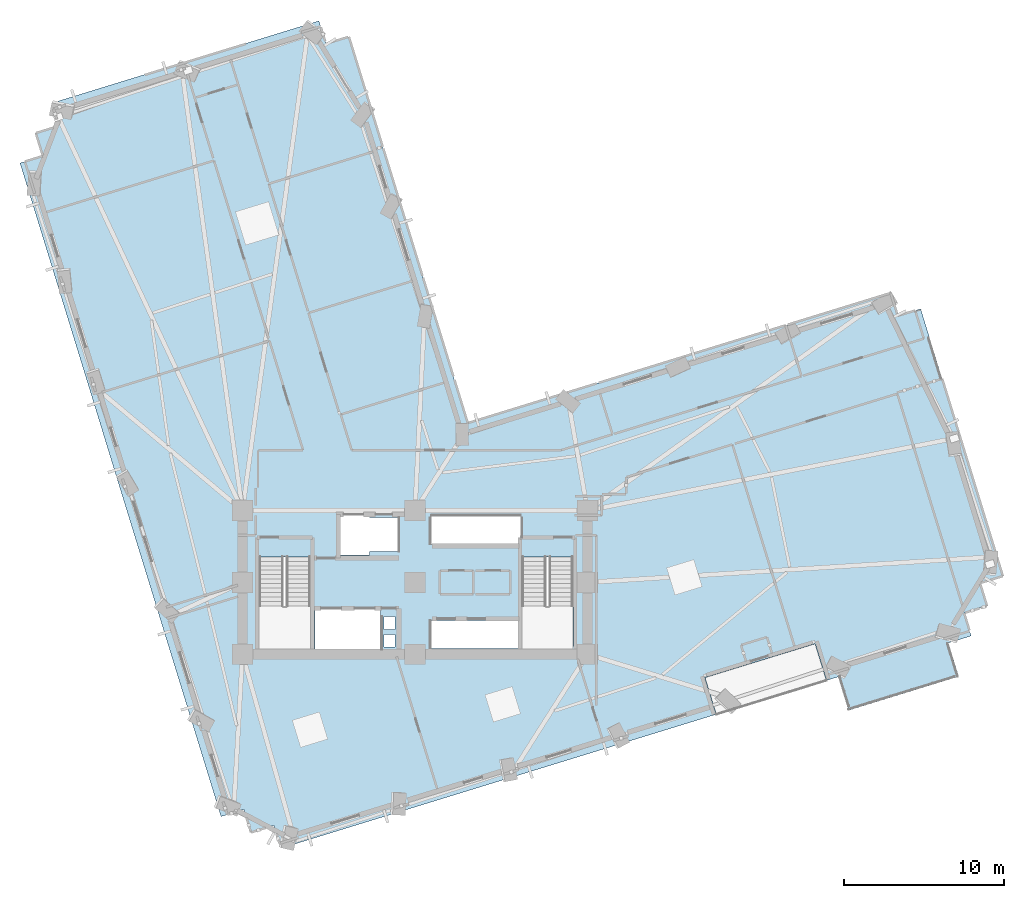
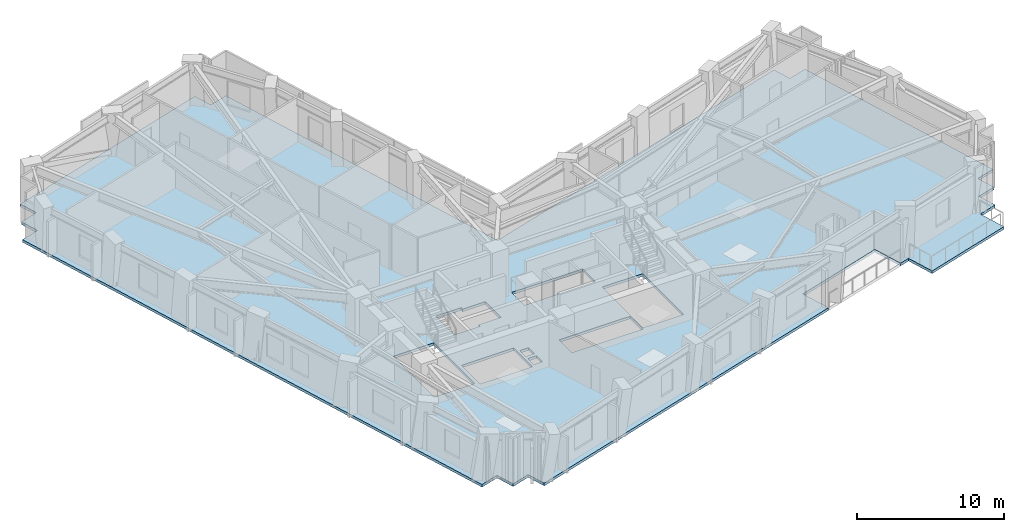
# One storey, part 4 of 14: 1 slab.
"""IFC4 building model written with IfcOpenShell, lengths in metres."""

from ifc_helpers import new_model, si_unit, direction, frame, origin, place, context, subcontext, project, spatial, polyline, outline, extrude, material, layer, layer_set, type_object, element, save


model = new_model("IFC4")

# Units and contexts
model_context = context("Model", 3, precision=1e-05, world=origin(), true_north=direction((0.0, 1.0)))
body_context = subcontext(model_context, "Body", "Model", "MODEL_VIEW")
ifc_project = project(units=[si_unit("LENGTHUNIT", "METRE"), si_unit("AREAUNIT", "SQUARE_METRE"), si_unit("VOLUMEUNIT", "CUBIC_METRE"), si_unit("PLANEANGLEUNIT", "RADIAN"), si_unit("MASSUNIT", "GRAM", prefix="KILO")], contexts=[model_context])

# Site, building, storey
site_placement = place(None, origin())
site = spatial("IfcSite", under=ifc_project, at=site_placement, CompositionType="ELEMENT")
building_placement = place(site_placement, origin())
building = spatial("IfcBuilding", under=site, at=building_placement, Name="Gaonmaruhae Medical Tower", CompositionType="ELEMENT")
storey_placement = place(building_placement, frame((0.0, 0.0, 96.39990234375)))
storey = spatial("IfcBuildingStorey", under=building, at=storey_placement, Name="L22", CompositionType="ELEMENT", Elevation=96.39990234375)

# Slab
ifc_material = material(Name="Concrete C40/50", Category="concrete")
ifc_layer = layer(ifc_material, 0.219970703125)
ifc_layer_set = layer_set([ifc_layer], Name="Concrete C40/50")
slab_type = type_object("IfcSlabType", Name="FS-220 Clinical Ward Composite Floor Slab", PredefinedType="FLOOR", material=ifc_layer_set)
slab_placement = place(storey_placement, frame((0.0, 0.0, -0.219970703125)))
element("IfcSlab", 1, at=slab_placement, inside=storey, type_object=slab_type, Name="L22 Structural Slab 1", PredefinedType="FLOOR", context=body_context, shape_type="SweptSolid", body=[
    extrude(outline(polyline([(15.96826171875, -2.909423828125), (14.534423828125, -3.3505859375), (14.093505859375, -1.916748046875), (12.659912109375, -2.35791015625), (0.074951171875, 38.550048828125), (1.508544921875, 38.9912109375), (1.0673828125, 40.4248046875), (2.501220703125, 40.865966796875), (2.06005859375, 42.299560546875), (18.78662109375, 47.4453125), (19.2275390625, 46.01171875), (20.661376953125, 46.45263671875), (28.1005859375, 22.27099609375), (54.575927734375, 30.416015625), (55.01708984375, 28.982421875), (56.45068359375, 29.42333984375), (61.596435546875, 12.697021484375), (60.16259765625, 12.256103515625), (60.603759765625, 10.822265625), (59.170166015625, 10.381103515625), (59.611083984375, 8.947509765625), (58.19091796875, 8.510498046875), (58.837646484375, 6.40771484375), (51.9560546875, 4.290771484375), (51.30908203125, 6.3935546875), (50.54443359375, 6.158203125), (49.8388671875, 8.4521484375), (42.95703125, 6.335205078125), (43.662841796875, 4.041259765625), (16.4091796875, -4.343017578125), (15.96826171875, -2.909423828125)]), holes=[polyline([(23.550048828125, 8.25), (22.85009765625, 8.25), (22.85009765625, 9.050048828125), (23.550048828125, 9.050048828125), (23.550048828125, 8.25)]), polyline([(25.824951171875, 9.925048828125), (31.425048828125, 9.925048828125), (31.425048828125, 8.175048828125), (25.824951171875, 8.175048828125), (25.824951171875, 9.925048828125)]), polyline([(22.64990234375, 10.625), (22.64990234375, 8.074951171875), (18.550048828125, 8.074951171875), (18.550048828125, 10.625), (22.64990234375, 10.625)]), polyline([(23.550048828125, 9.35009765625), (22.85009765625, 9.35009765625), (22.85009765625, 10.14990234375), (23.550048828125, 10.14990234375), (23.550048828125, 9.35009765625)]), polyline([(15.050048828125, 13.889892578125), (18.25, 13.889892578125), (18.25, 8.300048828125), (15.050048828125, 8.300048828125), (15.050048828125, 13.889892578125)]), polyline([(31.5, 13.889892578125), (34.699951171875, 13.889892578125), (34.699951171875, 8.300048828125), (31.5, 8.300048828125), (31.5, 13.889892578125)]), polyline([(21.949951171875, 14.22509765625), (21.949951171875, 14.02490234375), (19.949951171875, 14.02490234375), (19.949951171875, 16.574951171875), (21.949951171875, 16.574951171875), (21.949951171875, 16.375), (23.72509765625, 16.375), (23.72509765625, 14.22509765625), (21.949951171875, 14.22509765625)]), polyline([(25.824951171875, 16.425048828125), (31.425048828125, 16.425048828125), (31.425048828125, 14.675048828125), (25.824951171875, 14.675048828125), (25.824951171875, 16.425048828125)])]), origin(), (0.0, 0.0, 1.0), 0.219970703125),
])

save(model, "model.ifc")
